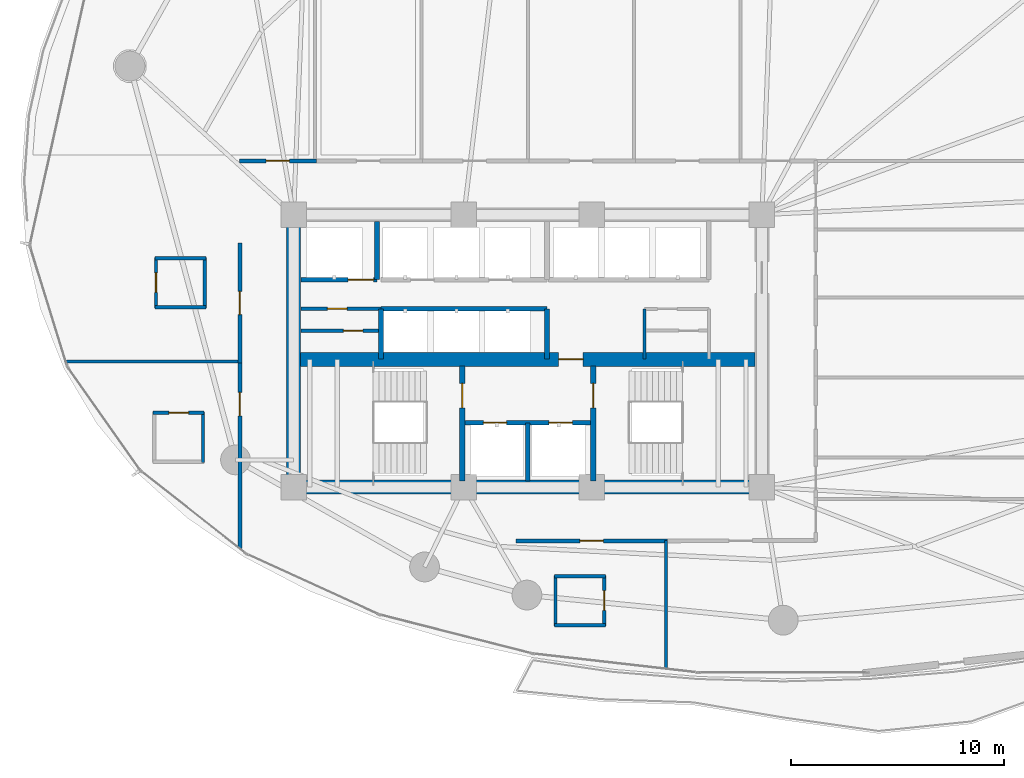
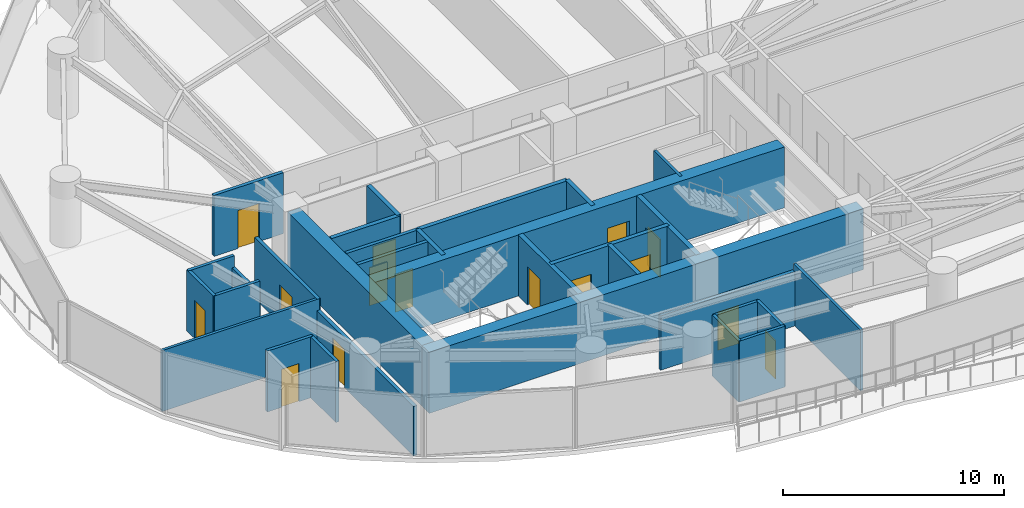
# One storey, part 26 of 34: 31 walls, 15 doors, 15 openings.
"""IFC4 building model written with IfcOpenShell, lengths in metres."""

from ifc_helpers import new_model, si_unit, direction, frame, frame_2d, origin, place, context, subcontext, project, spatial, rectangle, extrude, material, layer, layer_set, type_object, element, fill, save


model = new_model("IFC4")

# Units and contexts
model_context = context("Model", 3, precision=1e-05, world=origin(), true_north=direction((0.0, 1.0)))
body_context = subcontext(model_context, "Body", "Model", "MODEL_VIEW")
ifc_project = project(units=[si_unit("LENGTHUNIT", "METRE"), si_unit("AREAUNIT", "SQUARE_METRE"), si_unit("VOLUMEUNIT", "CUBIC_METRE"), si_unit("PLANEANGLEUNIT", "RADIAN"), si_unit("MASSUNIT", "GRAM", prefix="KILO")], contexts=[model_context])

# Site, building, storey
site_placement = place(None, origin())
site = spatial("IfcSite", under=ifc_project, at=site_placement, CompositionType="ELEMENT")
building_placement = place(site_placement, origin())
building = spatial("IfcBuilding", under=site, at=building_placement, Name="Kazevale Care Tower and Concert Hall", CompositionType="ELEMENT")
storey_placement = place(building_placement, frame((0.0, 0.0, 67.199951171875)))
storey = spatial("IfcBuildingStorey", under=building, at=storey_placement, Name="L17", CompositionType="ELEMENT", Elevation=67.199951171875)

# Walls
ifc_material_1 = material(Name="Acoustic Gypsum on Steel Stud", Category="steel")
ifc_layer_1 = layer(ifc_material_1, 0.139892578125)
ifc_layer_set_1 = layer_set([ifc_layer_1], Name="Acoustic Gypsum on Steel Stud")
wall_type_1 = type_object("IfcWallType", Name="Acoustic Care & Suite Partition 140", PredefinedType="PARTITIONING", material=ifc_layer_set_1)
wall_1_placement = place(storey_placement, frame((38.47998046875, 29.6201171875, 0.0), z_axis=(0.0, 0.0, 1.0), x_axis=(0.0, 1.0, 0.0)))
element("IfcWall", 1, at=wall_1_placement, inside=storey, type_object=wall_type_1, Name="wall:L17:kc_ew", PredefinedType="PARTITIONING", context=body_context, shape_type="SweptSolid", body=[
    extrude(rectangle(XDim=2.35986328125, YDim=0.139892578125, at=frame_2d((1.179931640625, 0.0))), origin(), (0.0, 0.0, 1.0), 3.360107421875),
])
wall_2_placement = place(storey_placement, frame((39.5, 21.10498046875, 0.0), z_axis=(0.0, 0.0, 1.0), x_axis=(0.0, -1.0, 0.0)))
element("IfcWall", 2, at=wall_2_placement, inside=storey, type_object=wall_type_1, Name="wall:L17:auto_028", PredefinedType="PARTITIONING", context=body_context, shape_type="SweptSolid", body=[
    extrude(rectangle(XDim=6.032958984375, YDim=0.139892578125, at=frame_2d((3.0166015625, 0.0))), origin(), (0.0, 0.0, 1.0), 3.360107421875),
])
wall_3_placement = place(storey_placement, frame((11.305908203125, 29.5, 0.0), z_axis=(0.0, 0.0, 1.0), x_axis=(1.0, 0.0, 0.0)))
element("IfcWall", 3, at=wall_3_placement, inside=storey, type_object=wall_type_1, Name="wall:L17:auto_029", PredefinedType="PARTITIONING", context=body_context, shape_type="SweptSolid", body=[
    extrude(rectangle(XDim=8.198974609375, YDim=0.139892578125, at=frame_2d((4.099609375, 0.0))), origin(), (0.0, 0.0, 1.0), 3.360107421875),
])
ifc_material_2 = material(Name="Concrete C70", Category="concrete")
ifc_layer_2 = layer(ifc_material_2, 0.64990234375)
ifc_layer_set_2 = layer_set([ifc_layer_2], Name="Concrete C70")
wall_type_2 = type_object("IfcWallType", Name="Core Shear Wall 650 C70", PredefinedType="SHEAR", material=ifc_layer_set_2)
wall_4_placement = place(storey_placement, frame((21.675048828125, 23.60009765625, 0.0), z_axis=(0.0, 0.0, 1.0), x_axis=(1.0, 0.0, 0.0)))
element("IfcWall", 4, at=wall_4_placement, inside=storey, type_object=wall_type_2, Name="wall:L17:core:S", PredefinedType="SHEAR", context=body_context, shape_type="SweptSolid", body=[
    extrude(rectangle(XDim=22.64990234375, YDim=0.64990234375, at=frame_2d((11.324951171875, 0.0))), origin(), (0.0, 0.0, 1.0), 3.360107421875),
])
wall_5_placement = place(storey_placement, frame((22.0, 23.925048828125, 0.0), z_axis=(0.0, 0.0, 1.0), x_axis=(0.0, 1.0, 0.0)))
element("IfcWall", 5, at=wall_5_placement, inside=storey, type_object=wall_type_2, Name="wall:L17:core:W", PredefinedType="SHEAR", context=body_context, shape_type="SweptSolid", body=[
    extrude(rectangle(XDim=12.14990234375, YDim=0.64990234375, at=frame_2d((6.074951171875, 0.0))), origin(), (0.0, 0.0, 1.0), 3.360107421875),
])

# Wall, opening, door
wall_6_placement = place(storey_placement, frame((22.324951171875, 29.60009765625, 0.0), z_axis=(0.0, 0.0, 1.0), x_axis=(1.0, 0.0, 0.0)))
wall_6 = element("IfcWall", 6, at=wall_6_placement, inside=storey, type_object=wall_type_2, Name="wall:L17:core:M", PredefinedType="SHEAR", context=body_context, shape_type="SweptSolid", body=[
    extrude(rectangle(XDim=21.35009765625, YDim=0.64990234375, at=frame_2d((10.675048828125, 0.0))), origin(), (0.0, 0.0, 1.0), 3.360107421875),
])
opening_1_placement = place(wall_6_placement, frame((12.125, 0.0, 0.0)))
opening_1 = element("IfcOpeningElement", 7, at=opening_1_placement, cuts=wall_6, Name="Opening FD-90", PredefinedType="OPENING", context=body_context, shape_type="SweptSolid", body=[
    extrude(rectangle(XDim=1.14990234375, YDim=2.10009765625, at=frame_2d((0.574951171875, 1.050048828125))), frame((0.0, 0.3349609375, 0.0), z_axis=(0.0, -1.0, 0.0), x_axis=(1.0, 0.0, 0.0)), (0.0, 0.0, 1.0), 0.669921875),
])
ifc_material_3 = material(Name="Steel ASTM A572 Gr 50", Category="steel")
door_type_1 = type_object("IfcDoorType", Name="Pressurized Stair & Lobby Fire Door 1150x2100", OperationType="NOTDEFINED", PredefinedType="DOOR", material=ifc_material_3)
door_1_placement = place(opening_1_placement, origin())
door_1 = element("IfcDoor", 8, at=door_1_placement, inside=storey, type_object=door_type_1, Name="door:L17:ff_to_pax", OperationType="SINGLE_SWING_LEFT", OverallHeight=2.10009765625, OverallWidth=1.14990234375, PredefinedType="DOOR", context=body_context, shape_type="SweptSolid", body=[
    extrude(rectangle(XDim=1.14990234375, YDim=2.10009765625, at=frame_2d((0.574951171875, 1.050048828125))), frame((0.0, 0.02490234375, 0.0), z_axis=(0.0, -1.0, 0.0), x_axis=(1.0, 0.0, 0.0)), (0.0, 0.0, 1.0), 0.050048828125),
])
fill(opening_1, door_1)

# Wall, openings, doors
ifc_material_4 = material(Name="Concrete C40", Category="concrete")
ifc_layer_3 = layer(ifc_material_4, 0.219970703125)
ifc_layer_set_3 = layer_set([ifc_layer_3], Name="Concrete C40")
wall_type_3 = type_object("IfcWallType", Name="Elevator Hoistway Shaft Wall 220", PredefinedType="SOLIDWALL", material=ifc_layer_set_3)
wall_7_placement = place(storey_placement, frame((29.919921875, 26.6201171875, 0.0), z_axis=(0.0, 0.0, 1.0), x_axis=(1.0, 0.0, 0.0)))
wall_7 = element("IfcWall", 9, at=wall_7_placement, inside=storey, type_object=wall_type_3, Name="wall:L17:c_ffl_n", PredefinedType="SOLIDWALL", context=body_context, shape_type="SweptSolid", body=[
    extrude(rectangle(XDim=6.16015625, YDim=0.219970703125, at=frame_2d((3.080078125, 0.0))), origin(), (0.0, 0.0, 1.0), 3.360107421875),
])
opening_2_placement = place(wall_7_placement, frame((0.989990234375, 0.0, 0.0)))
opening_2 = element("IfcOpeningElement", 10, at=opening_2_placement, cuts=wall_7, Name="Opening LD-FF", PredefinedType="OPENING", context=body_context, shape_type="SweptSolid", body=[
    extrude(rectangle(XDim=1.10009765625, YDim=2.10009765625, at=frame_2d((0.550048828125, 1.050048828125))), frame((0.0, 0.119873046875, 0.0), z_axis=(0.0, -1.0, 0.0), x_axis=(1.0, 0.0, 0.0)), (0.0, 0.0, 1.0), 0.239990234375),
])
opening_3_placement = place(wall_7_placement, frame((4.070068359375, 0.0, 0.0)))
opening_3 = element("IfcOpeningElement", 11, at=opening_3_placement, cuts=wall_7, Name="Opening LD-FF", PredefinedType="OPENING", context=body_context, shape_type="SweptSolid", body=[
    extrude(rectangle(XDim=1.10009765625, YDim=2.10009765625, at=frame_2d((0.550048828125, 1.050048828125))), frame((0.0, 0.119873046875, 0.0), z_axis=(0.0, -1.0, 0.0), x_axis=(1.0, 0.0, 0.0)), (0.0, 0.0, 1.0), 0.239990234375),
])
ifc_material_5 = material(Name="Stainless Steel 316", Category="steel")
door_type_2 = type_object("IfcDoorType", Name="Emergency Lift Sliding Landing Door 1100x2100", OperationType="NOTDEFINED", PredefinedType="DOOR", material=ifc_material_5)
door_2_placement = place(opening_2_placement, origin())
door_2 = element("IfcDoor", 12, at=door_2_placement, inside=storey, type_object=door_type_2, Name="door:L17:ld_ffl1", OperationType="SLIDING_TO_LEFT", OverallHeight=2.10009765625, OverallWidth=1.10009765625, PredefinedType="DOOR", context=body_context, shape_type="SweptSolid", body=[
    extrude(rectangle(XDim=1.10009765625, YDim=2.10009765625, at=frame_2d((0.550048828125, 1.050048828125))), frame((0.0, 0.02490234375, 0.0), z_axis=(0.0, -1.0, 0.0), x_axis=(1.0, 0.0, 0.0)), (0.0, 0.0, 1.0), 0.050048828125),
])
fill(opening_2, door_2)
door_3_placement = place(opening_3_placement, origin())
door_3 = element("IfcDoor", 13, at=door_3_placement, inside=storey, type_object=door_type_2, Name="door:L17:ld_ffl2", OperationType="SLIDING_TO_RIGHT", OverallHeight=2.10009765625, OverallWidth=1.10009765625, PredefinedType="DOOR", context=body_context, shape_type="SweptSolid", body=[
    extrude(rectangle(XDim=1.10009765625, YDim=2.10009765625, at=frame_2d((0.550048828125, 1.050048828125))), frame((0.0, 0.02490234375, 0.0), z_axis=(0.0, -1.0, 0.0), x_axis=(1.0, 0.0, 0.0)), (0.0, 0.0, 1.0), 0.050048828125),
])
fill(opening_3, door_3)

# Walls
wall_8_placement = place(storey_placement, frame((33.0, 23.89990234375, 0.0), z_axis=(0.0, 0.0, 1.0), x_axis=(0.0, 1.0, 0.0)))
element("IfcWall", 14, at=wall_8_placement, inside=storey, type_object=wall_type_3, Name="wall:L17:c_ffl_m", PredefinedType="SOLIDWALL", context=body_context, shape_type="SweptSolid", body=[
    extrude(rectangle(XDim=2.72021484375, YDim=0.219970703125, at=frame_2d((1.360107421875, 0.0))), origin(), (0.0, 0.0, 1.0), 3.360107421875),
])
wall_9_placement = place(storey_placement, frame((25.919921875, 33.35009765625, 0.0), z_axis=(0.0, 0.0, 1.0), x_axis=(0.0, 1.0, 0.0)))
element("IfcWall", 15, at=wall_9_placement, inside=storey, type_object=wall_type_3, Name="wall:L17:c_svl_e", PredefinedType="SOLIDWALL", context=body_context, shape_type="SweptSolid", body=[
    extrude(rectangle(XDim=2.72998046875, YDim=0.219970703125, at=frame_2d((1.364990234375, 0.0))), origin(), (0.0, 0.0, 1.0), 3.360107421875),
])

# Wall, opening, door
wall_10_placement = place(storey_placement, frame((22.35009765625, 33.35009765625, 0.0), z_axis=(0.0, 0.0, 1.0), x_axis=(1.0, 0.0, 0.0)))
wall_10 = element("IfcWall", 16, at=wall_10_placement, inside=storey, type_object=wall_type_3, Name="wall:L17:c_svl_s", PredefinedType="SOLIDWALL", context=body_context, shape_type="SweptSolid", body=[
    extrude(rectangle(XDim=3.56982421875, YDim=0.219970703125, at=frame_2d((1.784912109375, 0.0))), origin(), (0.0, 0.0, 1.0), 3.360107421875),
])
opening_4_placement = place(wall_10_placement, frame((2.212890625, 0.0, 0.0)))
opening_4 = element("IfcOpeningElement", 17, at=opening_4_placement, cuts=wall_10, Name="Opening LD-SV", PredefinedType="OPENING", context=body_context, shape_type="SweptSolid", body=[
    extrude(rectangle(XDim=1.199951171875, YDim=2.10009765625, at=frame_2d((0.60009765625, 1.050048828125))), frame((0.0, 0.119873046875, 0.0), z_axis=(0.0, -1.0, 0.0), x_axis=(1.0, 0.0, 0.0)), (0.0, 0.0, 1.0), 0.239990234375),
])
door_type_3 = type_object("IfcDoorType", Name="Service Lift Sliding Landing Door 1200x2100", OperationType="NOTDEFINED", PredefinedType="DOOR", material=ifc_material_5)
door_4_placement = place(opening_4_placement, origin())
door_4 = element("IfcDoor", 18, at=door_4_placement, inside=storey, type_object=door_type_3, Name="door:L17:ld_svl1", OperationType="SLIDING_TO_LEFT", OverallHeight=2.10009765625, OverallWidth=1.199951171875, PredefinedType="DOOR", context=body_context, shape_type="SweptSolid", body=[
    extrude(rectangle(XDim=1.199951171875, YDim=2.10009765625, at=frame_2d((0.60009765625, 1.050048828125))), frame((0.0, 0.02490234375, 0.0), z_axis=(0.0, -1.0, 0.0), x_axis=(1.0, 0.0, 0.0)), (0.0, 0.0, 1.0), 0.050048828125),
])
fill(opening_4, door_4)

# Walls
wall_11_placement = place(storey_placement, frame((26.10009765625, 29.6201171875, 0.0), z_axis=(0.0, 0.0, 1.0), x_axis=(0.0, 1.0, 0.0)))
element("IfcWall", 19, at=wall_11_placement, inside=storey, type_object=wall_type_3, Name="wall:L17:c_ph_w", PredefinedType="SOLIDWALL", context=body_context, shape_type="SweptSolid", body=[
    extrude(rectangle(XDim=2.35986328125, YDim=0.219970703125, at=frame_2d((1.179931640625, 0.0))), origin(), (0.0, 0.0, 1.0), 3.360107421875),
])
wall_12_placement = place(storey_placement, frame((26.10009765625, 31.97998046875, 0.0), z_axis=(0.0, 0.0, 1.0), x_axis=(1.0, 0.0, 0.0)))
element("IfcWall", 20, at=wall_12_placement, inside=storey, type_object=wall_type_3, Name="wall:L17:c_ph_n", PredefinedType="SOLIDWALL", context=body_context, shape_type="SweptSolid", body=[
    extrude(rectangle(XDim=7.7998046875, YDim=0.219970703125, at=frame_2d((3.89990234375, 0.0))), origin(), (0.0, 0.0, 1.0), 3.360107421875),
])
wall_13_placement = place(storey_placement, frame((33.89990234375, 29.6201171875, 0.0), z_axis=(0.0, 0.0, 1.0), x_axis=(0.0, 1.0, 0.0)))
element("IfcWall", 21, at=wall_13_placement, inside=storey, type_object=wall_type_3, Name="wall:L17:c_ph_e", PredefinedType="SOLIDWALL", context=body_context, shape_type="SweptSolid", body=[
    extrude(rectangle(XDim=2.35986328125, YDim=0.219970703125, at=frame_2d((1.179931640625, 0.0))), origin(), (0.0, 0.0, 1.0), 3.360107421875),
])

# Wall, opening, door
ifc_material_6 = material(Name="Concrete C40 and Acoustic Gypsum", Category="concrete")
ifc_layer_4 = layer(ifc_material_6, 0.179931640625)
ifc_layer_set_4 = layer_set([ifc_layer_4], Name="Concrete C40 and Acoustic Gypsum")
wall_type_4 = type_object("IfcWallType", Name="Fire-Rated Corridor & Party Wall 180", PredefinedType="PARTITIONING", material=ifc_layer_set_4)
wall_14_placement = place(storey_placement, frame((22.35009765625, 30.949951171875, 0.0), z_axis=(0.0, 0.0, 1.0), x_axis=(1.0, 0.0, 0.0)))
wall_14 = element("IfcWall", 22, at=wall_14_placement, inside=storey, type_object=wall_type_4, Name="wall:L17:kc_wm", PredefinedType="PARTITIONING", context=body_context, shape_type="SweptSolid", body=[
    extrude(rectangle(XDim=3.75, YDim=0.179931640625, at=frame_2d((1.875, 0.0))), origin(), (0.0, 0.0, 1.0), 3.360107421875),
])
opening_5_placement = place(wall_14_placement, frame((1.988037109375, 0.0, 0.0)))
opening_5 = element("IfcOpeningElement", 23, at=opening_5_placement, cuts=wall_14, Name="Opening ID-900", PredefinedType="OPENING", context=body_context, shape_type="SweptSolid", body=[
    extrude(rectangle(XDim=0.919921875, YDim=2.10009765625, at=frame_2d((0.4599609375, 1.050048828125))), frame((0.0, 0.099853515625, 0.0), z_axis=(0.0, -1.0, 0.0), x_axis=(1.0, 0.0, 0.0)), (0.0, 0.0, 1.0), 0.199951171875),
])
ifc_material_7 = material(Name="Oak Timber Fire Leaf", Category="wood")
door_type_4 = type_object("IfcDoorType", Name="Bathroom & Service Door 920x2100", OperationType="NOTDEFINED", PredefinedType="DOOR", material=ifc_material_7)
door_5_placement = place(opening_5_placement, origin())
door_5 = element("IfcDoor", 24, at=door_5_placement, inside=storey, type_object=door_type_4, Name="door:L17:d_kcwb", OperationType="SINGLE_SWING_RIGHT", OverallHeight=2.10009765625, OverallWidth=0.919921875, PredefinedType="DOOR", context=body_context, shape_type="SweptSolid", body=[
    extrude(rectangle(XDim=0.919921875, YDim=2.10009765625, at=frame_2d((0.4599609375, 1.050048828125))), frame((0.0, 0.02490234375, 0.0), z_axis=(0.0, -1.0, 0.0), x_axis=(1.0, 0.0, 0.0)), (0.0, 0.0, 1.0), 0.050048828125),
])
fill(opening_5, door_5)

wall_15_placement = place(storey_placement, frame((22.35009765625, 31.97998046875, 0.0), z_axis=(0.0, 0.0, 1.0), x_axis=(1.0, 0.0, 0.0)))
wall_15 = element("IfcWall", 25, at=wall_15_placement, inside=storey, type_object=wall_type_4, Name="wall:L17:kc_wn", PredefinedType="PARTITIONING", context=body_context, shape_type="SweptSolid", body=[
    extrude(rectangle(XDim=3.75, YDim=0.179931640625, at=frame_2d((1.875, 0.0))), origin(), (0.0, 0.0, 1.0), 3.360107421875),
])
opening_6_placement = place(wall_15_placement, frame((1.238037109375, 0.0, 0.0)))
opening_6 = element("IfcOpeningElement", 26, at=opening_6_placement, cuts=wall_15, Name="Opening ID-900", PredefinedType="OPENING", context=body_context, shape_type="SweptSolid", body=[
    extrude(rectangle(XDim=0.919921875, YDim=2.10009765625, at=frame_2d((0.4599609375, 1.050048828125))), frame((0.0, 0.099853515625, 0.0), z_axis=(0.0, -1.0, 0.0), x_axis=(1.0, 0.0, 0.0)), (0.0, 0.0, 1.0), 0.199951171875),
])
door_6_placement = place(opening_6_placement, origin())
door_6 = element("IfcDoor", 27, at=door_6_placement, inside=storey, type_object=door_type_4, Name="door:L17:d_kcwt", OperationType="SINGLE_SWING_LEFT", OverallHeight=2.10009765625, OverallWidth=0.919921875, PredefinedType="DOOR", context=body_context, shape_type="SweptSolid", body=[
    extrude(rectangle(XDim=0.919921875, YDim=2.10009765625, at=frame_2d((0.4599609375, 1.050048828125))), frame((0.0, 0.02490234375, 0.0), z_axis=(0.0, -1.0, 0.0), x_axis=(1.0, 0.0, 0.0)), (0.0, 0.0, 1.0), 0.050048828125),
])
fill(opening_6, door_6)

wall_16_placement = place(storey_placement, frame((19.445068359375, 38.925048828125, 0.0), z_axis=(0.0, 0.0, 1.0), x_axis=(1.0, 0.0, 0.0)))
wall_16 = element("IfcWall", 28, at=wall_16_placement, inside=storey, type_object=wall_type_4, Name="wall:L17:auto_001", PredefinedType="PARTITIONING", context=body_context, shape_type="SweptSolid", body=[
    extrude(rectangle(XDim=3.619873046875, YDim=0.179931640625, at=frame_2d((1.81005859375, 0.0))), origin(), (0.0, 0.0, 1.0), 3.360107421875),
])
opening_7_placement = place(wall_16_placement, frame((1.260009765625, 0.0, 0.0)))
opening_7 = element("IfcOpeningElement", 29, at=opening_7_placement, cuts=wall_16, Name="Opening ID-1100", PredefinedType="OPENING", context=body_context, shape_type="SweptSolid", body=[
    extrude(rectangle(XDim=1.10009765625, YDim=2.10009765625, at=frame_2d((0.550048828125, 1.050048828125))), frame((0.0, 0.099853515625, 0.0), z_axis=(0.0, -1.0, 0.0), x_axis=(1.0, 0.0, 0.0)), (0.0, 0.0, 1.0), 0.199951171875),
])
door_type_5 = type_object("IfcDoorType", Name="Care Bedroom Accessible Door 1100x2100", OperationType="NOTDEFINED", PredefinedType="DOOR", material=ifc_material_7)
door_7_placement = place(opening_7_placement, origin())
door_7 = element("IfcDoor", 30, at=door_7_placement, inside=storey, type_object=door_type_5, Name="door:L17:ad_001", OperationType="SINGLE_SWING_LEFT", OverallHeight=2.10009765625, OverallWidth=1.10009765625, PredefinedType="DOOR", context=body_context, shape_type="SweptSolid", body=[
    extrude(rectangle(XDim=1.10009765625, YDim=2.10009765625, at=frame_2d((0.550048828125, 1.050048828125))), frame((0.0, 0.02490234375, 0.0), z_axis=(0.0, -1.0, 0.0), x_axis=(1.0, 0.0, 0.0)), (0.0, 0.0, 1.0), 0.050048828125),
])
fill(opening_7, door_7)

wall_17_placement = place(storey_placement, frame((39.56494140625, 21.074951171875, 0.0), z_axis=(0.0, 0.0, 1.0), x_axis=(-1.0, 0.0, 0.0)))
wall_17 = element("IfcWall", 31, at=wall_17_placement, inside=storey, type_object=wall_type_4, Name="wall:L17:auto_013", PredefinedType="PARTITIONING", context=body_context, shape_type="SweptSolid", body=[
    extrude(rectangle(XDim=7.1298828125, YDim=0.179931640625, at=frame_2d((3.56494140625, 0.0))), origin(), (0.0, 0.0, 1.0), 2.99609375),
])
opening_8_placement = place(wall_17_placement, frame((3.014892578125, 0.0, 0.0)))
opening_8 = element("IfcOpeningElement", 32, at=opening_8_placement, cuts=wall_17, Name="Opening ID-1100", PredefinedType="OPENING", context=body_context, shape_type="SweptSolid", body=[
    extrude(rectangle(XDim=1.10009765625, YDim=2.10009765625, at=frame_2d((0.550048828125, 1.050048828125))), frame((0.0, 0.099853515625, 0.0), z_axis=(0.0, -1.0, 0.0), x_axis=(1.0, 0.0, 0.0)), (0.0, 0.0, 1.0), 0.199951171875),
])
door_8_placement = place(opening_8_placement, origin())
door_8 = element("IfcDoor", 33, at=door_8_placement, inside=storey, type_object=door_type_5, Name="door:L17:ad_013", OperationType="SINGLE_SWING_LEFT", OverallHeight=2.10009765625, OverallWidth=1.10009765625, PredefinedType="DOOR", context=body_context, shape_type="SweptSolid", body=[
    extrude(rectangle(XDim=1.10009765625, YDim=2.10009765625, at=frame_2d((0.550048828125, 1.050048828125))), frame((0.0, 0.02490234375, 0.0), z_axis=(0.0, -1.0, 0.0), x_axis=(1.0, 0.0, 0.0)), (0.0, 0.0, 1.0), 0.050048828125),
])
fill(opening_8, door_8)

wall_18_placement = place(storey_placement, frame((19.47509765625, 20.715087890625, 0.0), z_axis=(0.0, 0.0, 1.0), x_axis=(0.0, 1.0, 0.0)))
wall_18 = element("IfcWall", 34, at=wall_18_placement, inside=storey, type_object=wall_type_4, Name="wall:L17:auto_015", PredefinedType="PARTITIONING", context=body_context, shape_type="SweptSolid", body=[
    extrude(rectangle(XDim=8.849853515625, YDim=0.179931640625, at=frame_2d((4.4248046875, 0.0))), origin(), (0.0, 0.0, 1.0), 2.738037109375),
])
opening_9_placement = place(wall_18_placement, frame((6.235107421875, 0.0, 0.0)))
opening_9 = element("IfcOpeningElement", 35, at=opening_9_placement, cuts=wall_18, Name="Opening ID-1100", PredefinedType="OPENING", context=body_context, shape_type="SweptSolid", body=[
    extrude(rectangle(XDim=1.10009765625, YDim=2.10009765625, at=frame_2d((0.550048828125, 1.050048828125))), frame((0.0, 0.099853515625, 0.0), z_axis=(0.0, -1.0, 0.0), x_axis=(1.0, 0.0, 0.0)), (0.0, 0.0, 1.0), 0.199951171875),
])
door_9_placement = place(opening_9_placement, origin())
door_9 = element("IfcDoor", 36, at=door_9_placement, inside=storey, type_object=door_type_5, Name="door:L17:ad_015", OperationType="SINGLE_SWING_LEFT", OverallHeight=2.10009765625, OverallWidth=1.10009765625, PredefinedType="DOOR", context=body_context, shape_type="SweptSolid", body=[
    extrude(rectangle(XDim=1.10009765625, YDim=2.10009765625, at=frame_2d((0.550048828125, 1.050048828125))), frame((0.0, 0.02490234375, 0.0), z_axis=(0.0, -1.0, 0.0), x_axis=(1.0, 0.0, 0.0)), (0.0, 0.0, 1.0), 0.050048828125),
])
fill(opening_9, door_9)

wall_19_placement = place(storey_placement, frame((19.47509765625, 29.43505859375, 0.0), z_axis=(0.0, 0.0, 1.0), x_axis=(0.0, 1.0, 0.0)))
wall_19 = element("IfcWall", 37, at=wall_19_placement, inside=storey, type_object=wall_type_4, Name="wall:L17:auto_016", PredefinedType="PARTITIONING", context=body_context, shape_type="SweptSolid", body=[
    extrude(rectangle(XDim=5.6298828125, YDim=0.179931640625, at=frame_2d((2.81494140625, 0.0))), origin(), (0.0, 0.0, 1.0), 3.360107421875),
])
opening_10_placement = place(wall_19_placement, frame((2.264892578125, 0.0, 0.0)))
opening_10 = element("IfcOpeningElement", 38, at=opening_10_placement, cuts=wall_19, Name="Opening ID-1100", PredefinedType="OPENING", context=body_context, shape_type="SweptSolid", body=[
    extrude(rectangle(XDim=1.10009765625, YDim=2.10009765625, at=frame_2d((0.550048828125, 1.050048828125))), frame((0.0, 0.099853515625, 0.0), z_axis=(0.0, -1.0, 0.0), x_axis=(1.0, 0.0, 0.0)), (0.0, 0.0, 1.0), 0.199951171875),
])
door_10_placement = place(opening_10_placement, origin())
door_10 = element("IfcDoor", 39, at=door_10_placement, inside=storey, type_object=door_type_5, Name="door:L17:ad_016", OperationType="SINGLE_SWING_LEFT", OverallHeight=2.10009765625, OverallWidth=1.10009765625, PredefinedType="DOOR", context=body_context, shape_type="SweptSolid", body=[
    extrude(rectangle(XDim=1.10009765625, YDim=2.10009765625, at=frame_2d((0.550048828125, 1.050048828125))), frame((0.0, 0.02490234375, 0.0), z_axis=(0.0, -1.0, 0.0), x_axis=(1.0, 0.0, 0.0)), (0.0, 0.0, 1.0), 0.050048828125),
])
fill(opening_10, door_10)

# Walls
ifc_layer_5 = layer(ifc_material_1, 0.159912109375)
ifc_layer_set_5 = layer_set([ifc_layer_5], Name="Acoustic Gypsum on Steel Stud")
wall_type_5 = type_object("IfcWallType", Name="Moisture-Resistant Bathroom Plumbing Wall 160", PredefinedType="PLUMBINGWALL", material=ifc_layer_set_5)
for number, where, z_axis, x_axis, name in (
    (40, (34.260009765625, 17.114990234375, 0.0), (0.0, 0.0, 1.0), (1.0, 0.0, 0.0), "wall:L17:sb2a_ens_ws"),
    (41, (34.260009765625, 19.4150390625, 0.0), (0.0, 0.0, 1.0), (1.0, 0.0, 0.0), "wall:L17:sb2a_ens_wn"),
):
    element("IfcWall", number, at=place(storey_placement, frame(where, z_axis=z_axis, x_axis=x_axis)), inside=storey, type_object=wall_type_5, Name=name, PredefinedType="PLUMBINGWALL", context=body_context, shape_type="SweptSolid", body=[
        extrude(rectangle(XDim=2.3798828125, YDim=0.159912109375, at=frame_2d((1.18994140625, 0.0))), origin(), (0.0, 0.0, 1.0), 3.360107421875),
    ])
wall_20_placement = place(storey_placement, frame((34.300048828125, 17.074951171875, 0.0), z_axis=(0.0, 0.0, 1.0), x_axis=(0.0, 1.0, 0.0)))
element("IfcWall", 42, at=wall_20_placement, inside=storey, type_object=wall_type_5, Name="wall:L17:sb2a_ens_ww", PredefinedType="PLUMBINGWALL", context=body_context, shape_type="SweptSolid", body=[
    extrude(rectangle(XDim=2.380126953125, YDim=0.159912109375, at=frame_2d((1.18994140625, 0.0))), origin(), (0.0, 0.0, 1.0), 3.360107421875),
])

# Wall, opening, door
wall_21_placement = place(storey_placement, frame((36.60009765625, 17.074951171875, 0.0), z_axis=(0.0, 0.0, 1.0), x_axis=(0.0, 1.0, 0.0)))
wall_21 = element("IfcWall", 43, at=wall_21_placement, inside=storey, type_object=wall_type_5, Name="wall:L17:sb2a_ens_we", PredefinedType="PLUMBINGWALL", context=body_context, shape_type="SweptSolid", body=[
    extrude(rectangle(XDim=2.380126953125, YDim=0.159912109375, at=frame_2d((1.18994140625, 0.0))), origin(), (0.0, 0.0, 1.0), 3.360107421875),
])
opening_11_placement = place(wall_21_placement, frame((0.739990234375, 0.0, 0.0)))
opening_11 = element("IfcOpeningElement", 44, at=opening_11_placement, cuts=wall_21, Name="Opening ID-900", PredefinedType="OPENING", context=body_context, shape_type="SweptSolid", body=[
    extrude(rectangle(XDim=0.919921875, YDim=2.10009765625, at=frame_2d((0.4599609375, 1.050048828125))), frame((0.0, 0.08984375, 0.0), z_axis=(0.0, -1.0, 0.0), x_axis=(1.0, 0.0, 0.0)), (0.0, 0.0, 1.0), 0.179931640625),
])
door_11_placement = place(opening_11_placement, origin())
door_11 = element("IfcDoor", 45, at=door_11_placement, inside=storey, type_object=door_type_4, Name="door:L17:sb2a_ens_d", OperationType="SINGLE_SWING_LEFT", OverallHeight=2.10009765625, OverallWidth=0.919921875, PredefinedType="DOOR", context=body_context, shape_type="SweptSolid", body=[
    extrude(rectangle(XDim=0.919921875, YDim=2.10009765625, at=frame_2d((0.4599609375, 1.050048828125))), frame((0.0, 0.02490234375, 0.0), z_axis=(0.0, -1.0, 0.0), x_axis=(1.0, 0.0, 0.0)), (0.0, 0.0, 1.0), 0.050048828125),
])
fill(opening_11, door_11)

wall_22_placement = place(storey_placement, frame((15.404052734375, 27.10009765625, 0.0), z_axis=(0.0, 0.0, 1.0), x_axis=(1.0, 0.0, 0.0)))
wall_22 = element("IfcWall", 46, at=wall_22_placement, inside=storey, type_object=wall_type_5, Name="wall:L17:wb2_ens_wn", PredefinedType="PLUMBINGWALL", context=body_context, shape_type="SweptSolid", body=[
    extrude(rectangle(XDim=2.3798828125, YDim=0.159912109375, at=frame_2d((1.18994140625, 0.0))), origin(), (0.0, 0.0, 1.0), 3.360107421875),
])
opening_12_placement = place(wall_22_placement, frame((0.739990234375, 0.0, 0.0)))
opening_12 = element("IfcOpeningElement", 47, at=opening_12_placement, cuts=wall_22, Name="Opening ID-900", PredefinedType="OPENING", context=body_context, shape_type="SweptSolid", body=[
    extrude(rectangle(XDim=0.919921875, YDim=2.10009765625, at=frame_2d((0.4599609375, 1.050048828125))), frame((0.0, 0.08984375, 0.0), z_axis=(0.0, -1.0, 0.0), x_axis=(1.0, 0.0, 0.0)), (0.0, 0.0, 1.0), 0.179931640625),
])
door_12_placement = place(opening_12_placement, origin())
door_12 = element("IfcDoor", 48, at=door_12_placement, inside=storey, type_object=door_type_4, Name="door:L17:wb2_ens_d", OperationType="SINGLE_SWING_LEFT", OverallHeight=2.10009765625, OverallWidth=0.919921875, PredefinedType="DOOR", context=body_context, shape_type="SweptSolid", body=[
    extrude(rectangle(XDim=0.919921875, YDim=2.10009765625, at=frame_2d((0.4599609375, 1.050048828125))), frame((0.0, 0.02490234375, 0.0), z_axis=(0.0, -1.0, 0.0), x_axis=(1.0, 0.0, 0.0)), (0.0, 0.0, 1.0), 0.050048828125),
])
fill(opening_12, door_12)

# Walls
wall_23_placement = place(storey_placement, frame((17.743896484375, 24.760009765625, 0.0), z_axis=(0.0, 0.0, 1.0), x_axis=(0.0, 1.0, 0.0)))
element("IfcWall", 49, at=wall_23_placement, inside=storey, type_object=wall_type_5, Name="wall:L17:wb2_ens_we", PredefinedType="PLUMBINGWALL", context=body_context, shape_type="SweptSolid", body=[
    extrude(rectangle(XDim=2.3798828125, YDim=0.159912109375, at=frame_2d((1.18994140625, 0.0))), origin(), (0.0, 0.0, 1.0), 3.360107421875),
])
for number, where, z_axis, x_axis, name in (
    (50, (15.492919921875, 32.050048828125, 0.0), (0.0, 0.0, 1.0), (1.0, 0.0, 0.0), "wall:L17:wb3_ens_ws"),
    (51, (15.492919921875, 34.35009765625, 0.0), (0.0, 0.0, 1.0), (1.0, 0.0, 0.0), "wall:L17:wb3_ens_wn"),
):
    element("IfcWall", number, at=place(storey_placement, frame(where, z_axis=z_axis, x_axis=x_axis)), inside=storey, type_object=wall_type_5, Name=name, PredefinedType="PLUMBINGWALL", context=body_context, shape_type="SweptSolid", body=[
        extrude(rectangle(XDim=2.380126953125, YDim=0.159912109375, at=frame_2d((1.18994140625, 0.0))), origin(), (0.0, 0.0, 1.0), 3.360107421875),
    ])

# Wall, opening, door
wall_24_placement = place(storey_placement, frame((15.532958984375, 32.010009765625, 0.0), z_axis=(0.0, 0.0, 1.0), x_axis=(0.0, 1.0, 0.0)))
wall_24 = element("IfcWall", 52, at=wall_24_placement, inside=storey, type_object=wall_type_5, Name="wall:L17:wb3_ens_ww", PredefinedType="PLUMBINGWALL", context=body_context, shape_type="SweptSolid", body=[
    extrude(rectangle(XDim=2.3798828125, YDim=0.159912109375, at=frame_2d((1.18994140625, 0.0))), origin(), (0.0, 0.0, 1.0), 3.360107421875),
])
opening_13_placement = place(wall_24_placement, frame((0.739990234375, 0.0, 0.0)))
opening_13 = element("IfcOpeningElement", 53, at=opening_13_placement, cuts=wall_24, Name="Opening ID-900", PredefinedType="OPENING", context=body_context, shape_type="SweptSolid", body=[
    extrude(rectangle(XDim=0.919921875, YDim=2.10009765625, at=frame_2d((0.4599609375, 1.050048828125))), frame((0.0, 0.08984375, 0.0), z_axis=(0.0, -1.0, 0.0), x_axis=(1.0, 0.0, 0.0)), (0.0, 0.0, 1.0), 0.179931640625),
])
door_13_placement = place(opening_13_placement, origin())
door_13 = element("IfcDoor", 54, at=door_13_placement, inside=storey, type_object=door_type_4, Name="door:L17:wb3_ens_d", OperationType="SINGLE_SWING_RIGHT", OverallHeight=2.10009765625, OverallWidth=0.919921875, PredefinedType="DOOR", context=body_context, shape_type="SweptSolid", body=[
    extrude(rectangle(XDim=0.919921875, YDim=2.10009765625, at=frame_2d((0.4599609375, 1.050048828125))), frame((0.0, 0.02490234375, 0.0), z_axis=(0.0, -1.0, 0.0), x_axis=(1.0, 0.0, 0.0)), (0.0, 0.0, 1.0), 0.050048828125),
])
fill(opening_13, door_13)

# Wall
wall_25_placement = place(storey_placement, frame((17.8330078125, 32.010009765625, 0.0), z_axis=(0.0, 0.0, 1.0), x_axis=(0.0, 1.0, 0.0)))
element("IfcWall", 55, at=wall_25_placement, inside=storey, type_object=wall_type_5, Name="wall:L17:wb3_ens_we", PredefinedType="PLUMBINGWALL", context=body_context, shape_type="SweptSolid", body=[
    extrude(rectangle(XDim=2.3798828125, YDim=0.159912109375, at=frame_2d((1.18994140625, 0.0))), origin(), (0.0, 0.0, 1.0), 2.738037109375),
])

# Wall, opening, door
ifc_layer_6 = layer(ifc_material_4, 0.25)
ifc_layer_set_6 = layer_set([ifc_layer_6], Name="Concrete C40")
wall_type_6 = type_object("IfcWallType", Name="Pressurized Stair Shaft Wall 250", PredefinedType="SOLIDWALL", material=ifc_layer_set_6)
wall_26_placement = place(storey_placement, frame((29.919921875, 23.89990234375, 0.0), z_axis=(0.0, 0.0, 1.0), x_axis=(0.0, 1.0, 0.0)))
wall_26 = element("IfcWall", 56, at=wall_26_placement, inside=storey, type_object=wall_type_6, Name="wall:L17:c_st1_e", PredefinedType="SOLIDWALL", context=body_context, shape_type="SweptSolid", body=[
    extrude(rectangle(XDim=5.400146484375, YDim=0.25, at=frame_2d((2.7001953125, 0.0))), origin(), (0.0, 0.0, 1.0), 3.360107421875),
])
opening_14_placement = place(wall_26_placement, frame((3.4208984375, 0.0, 0.0)))
opening_14 = element("IfcOpeningElement", 57, at=opening_14_placement, cuts=wall_26, Name="Opening FD-90", PredefinedType="OPENING", context=body_context, shape_type="SweptSolid", body=[
    extrude(rectangle(XDim=1.14990234375, YDim=2.10009765625, at=frame_2d((0.574951171875, 1.050048828125))), frame((0.0, 0.135009765625, 0.0), z_axis=(0.0, -1.0, 0.0), x_axis=(1.0, 0.0, 0.0)), (0.0, 0.0, 1.0), 0.27001953125),
])
door_14_placement = place(opening_14_placement, origin())
door_14 = element("IfcDoor", 58, at=door_14_placement, inside=storey, type_object=door_type_1, Name="door:L17:st1", OperationType="SINGLE_SWING_RIGHT", OverallHeight=2.10009765625, OverallWidth=1.14990234375, PredefinedType="DOOR", context=body_context, shape_type="SweptSolid", body=[
    extrude(rectangle(XDim=1.14990234375, YDim=2.10009765625, at=frame_2d((0.574951171875, 1.050048828125))), frame((0.0, 0.02490234375, 0.0), z_axis=(0.0, -1.0, 0.0), x_axis=(1.0, 0.0, 0.0)), (0.0, 0.0, 1.0), 0.050048828125),
])
fill(opening_14, door_14)

wall_27_placement = place(storey_placement, frame((36.080078125, 23.89990234375, 0.0), z_axis=(0.0, 0.0, 1.0), x_axis=(0.0, 1.0, 0.0)))
wall_27 = element("IfcWall", 59, at=wall_27_placement, inside=storey, type_object=wall_type_6, Name="wall:L17:c_st2_w", PredefinedType="SOLIDWALL", context=body_context, shape_type="SweptSolid", body=[
    extrude(rectangle(XDim=5.400146484375, YDim=0.25, at=frame_2d((2.7001953125, 0.0))), origin(), (0.0, 0.0, 1.0), 3.360107421875),
])
opening_15_placement = place(wall_27_placement, frame((3.4208984375, 0.0, 0.0)))
opening_15 = element("IfcOpeningElement", 60, at=opening_15_placement, cuts=wall_27, Name="Opening FD-90", PredefinedType="OPENING", context=body_context, shape_type="SweptSolid", body=[
    extrude(rectangle(XDim=1.14990234375, YDim=2.10009765625, at=frame_2d((0.574951171875, 1.050048828125))), frame((0.0, 0.135009765625, 0.0), z_axis=(0.0, -1.0, 0.0), x_axis=(1.0, 0.0, 0.0)), (0.0, 0.0, 1.0), 0.27001953125),
])
door_15_placement = place(opening_15_placement, origin())
door_15 = element("IfcDoor", 61, at=door_15_placement, inside=storey, type_object=door_type_1, Name="door:L17:st2", OperationType="SINGLE_SWING_LEFT", OverallHeight=2.10009765625, OverallWidth=1.14990234375, PredefinedType="DOOR", context=body_context, shape_type="SweptSolid", body=[
    extrude(rectangle(XDim=1.14990234375, YDim=2.10009765625, at=frame_2d((0.574951171875, 1.050048828125))), frame((0.0, 0.02490234375, 0.0), z_axis=(0.0, -1.0, 0.0), x_axis=(1.0, 0.0, 0.0)), (0.0, 0.0, 1.0), 0.050048828125),
])
fill(opening_15, door_15)

save(model, "model.ifc")
